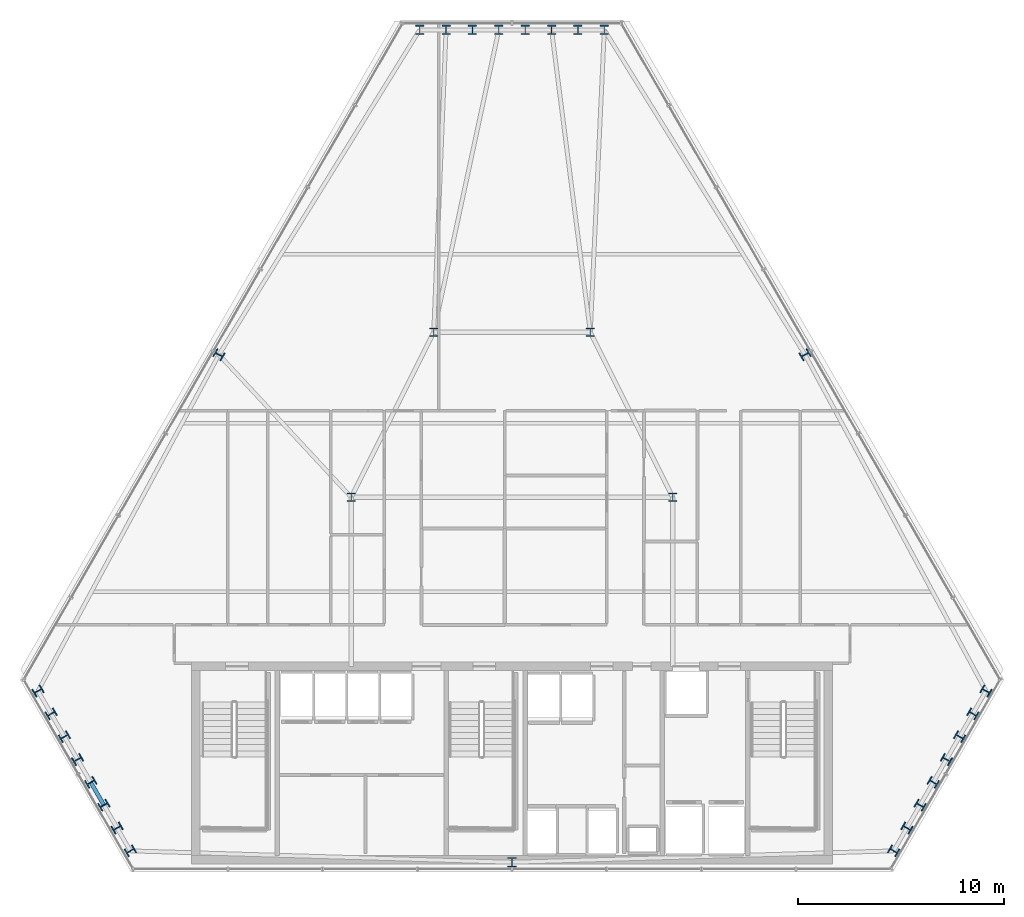
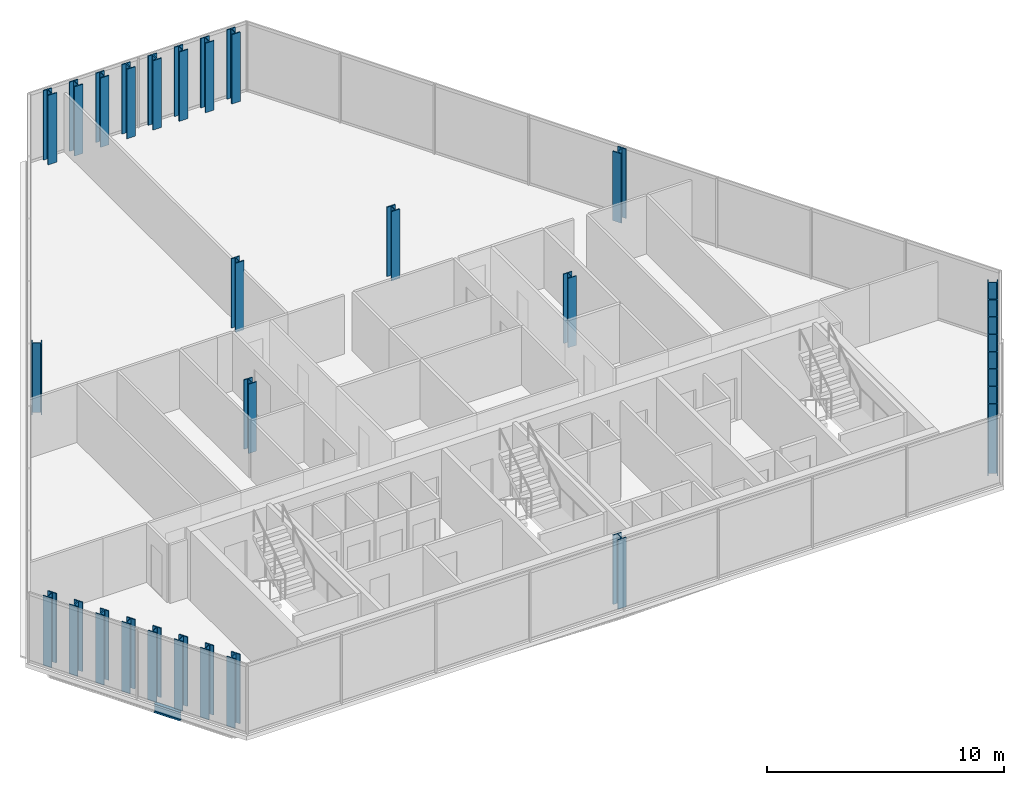
# One storey, part 1 of 33: 31 columns, 1 beam.
"""IFC4 building model written with IfcOpenShell, lengths in metres."""

from ifc_helpers import new_model, si_unit, direction, frame, origin, origin_2d, place, context, subcontext, project, spatial, i_section, extrude, material, material_profile, profile_set, type_object, element, save


model = new_model("IFC4")

# Units and contexts
model_context = context("Model", 3, precision=1e-05, world=origin(), true_north=direction((0.0, 1.0)))
body_context = subcontext(model_context, "Body", "Model", "MODEL_VIEW")
ifc_project = project(units=[si_unit("LENGTHUNIT", "METRE"), si_unit("AREAUNIT", "SQUARE_METRE"), si_unit("VOLUMEUNIT", "CUBIC_METRE"), si_unit("PLANEANGLEUNIT", "RADIAN"), si_unit("MASSUNIT", "GRAM", prefix="KILO")], contexts=[model_context])

# Site, building, storey
site_placement = place(None, origin())
site = spatial("IfcSite", under=ifc_project, at=site_placement, CompositionType="ELEMENT")
building_placement = place(site_placement, origin())
building = spatial("IfcBuilding", under=site, at=building_placement, Name="Ndaravel Arena Tower", CompositionType="ELEMENT")
storey_placement = place(building_placement, frame((0.0, 0.0, 161.199951171875)))
storey = spatial("IfcBuildingStorey", under=building, at=storey_placement, Name="L38", CompositionType="ELEMENT", Elevation=161.199951171875)

# Columns
ifc_material_1 = material(Name="Steel S355", Category="steel")
ifc_material_profile_1 = material_profile(ifc_material_1, i_section(OverallWidth=0.406982421875, OverallDepth=0.4189453125, WebThickness=0.030517578125, FlangeThickness=0.04931640625, FilletRadius=0.01513671875, at=origin_2d()), Name="UC 356x406x393")
ifc_profile_set_1 = profile_set([ifc_material_profile_1], Name="Steel S355")
column_type_1 = type_object("IfcColumnType", Name="COL-INT-UC393", PredefinedType="COLUMN", material=ifc_profile_set_1)
for number, where, z_axis, x_axis, name in (
    (1, (34.199951171875, 23.199951171875, 0.0), (0.0, 0.0, 1.0), (1.0, 0.0, 0.0), "L38 Interior Spine Column IC-01"),
    (2, (49.800048828125, 23.199951171875, 0.0), (0.0, 0.0, 1.0), (1.0, 0.0, 0.0), "L38 Interior Spine Column IC-02"),
    (3, (38.199951171875, 31.199951171875, 0.0), (0.0, 0.0, 1.0), (1.0, 0.0, 0.0), "L38 Interior Spine Column IC-03"),
    (4, (45.800048828125, 31.199951171875, 0.0), (0.0, 0.0, 1.0), (1.0, 0.0, 0.0), "L38 Interior Spine Column IC-04"),
):
    element("IfcColumn", number, at=place(storey_placement, frame(where, z_axis=z_axis, x_axis=x_axis)), inside=storey, type_object=column_type_1, Name=name, PredefinedType="COLUMN", context=body_context, shape_type="SweptSolid", body=[
        extrude(i_section(OverallWidth=0.406982421875, OverallDepth=0.4189453125, WebThickness=0.030517578125, FlangeThickness=0.04931640625, FilletRadius=0.01513671875, at=origin_2d()), origin(), (0.0, 0.0, 1.0), 3.580078125),
    ])
ifc_material_2 = material(Name="Steel S355", Category="steel")
ifc_material_profile_2 = material_profile(ifc_material_2, i_section(OverallWidth=0.41796875, OverallDepth=0.455078125, WebThickness=0.0419921875, FlangeThickness=0.052001953125, FilletRadius=0.014892578125, at=origin_2d()), Name="HD 400x551")
ifc_profile_set_2 = profile_set([ifc_material_profile_2], Name="Steel S355")
column_type_2 = type_object("IfcColumnType", Name="COL-TUBE-HD551", PredefinedType="COLUMN", material=ifc_profile_set_2)
for number, where, z_axis, x_axis, name in (
    (5, (42.0, 5.47998046875, 0.0), (0.0, 0.0, 1.0), (1.0, 0.0, 0.0), "L38 Framed Tube Column TC-01"),
    (6, (60.52587890625, 6.0341796875, 0.0), (0.0, 0.0, 1.0), (0.5, 0.866025403784, 0.0), "L38 Framed Tube Column TC-02"),
    (7, (61.165771484375, 7.142822265625, 0.0), (0.0, 0.0, 1.0), (0.5, 0.866025403784, 0.0), "L38 Framed Tube Column TC-03"),
    (8, (61.805908203125, 8.25146484375, 0.0), (0.0, 0.0, 1.0), (0.5, 0.866025403784, 0.0), "L38 Framed Tube Column TC-04"),
    (9, (62.44580078125, 9.35986328125, 0.0), (0.0, 0.0, 1.0), (0.5, 0.866025403784, 0.0), "L38 Framed Tube Column TC-05"),
    (10, (63.0859375, 10.468505859375, 0.0), (0.0, 0.0, 1.0), (0.5, 0.866025403784, 0.0), "L38 Framed Tube Column TC-06"),
    (11, (63.725830078125, 11.576904296875, 0.0), (0.0, 0.0, 1.0), (0.5, 0.866025403784, 0.0), "L38 Framed Tube Column TC-07"),
    (12, (64.365966796875, 12.685546875, 0.0), (0.0, 0.0, 1.0), (0.5, 0.866025403784, 0.0), "L38 Framed Tube Column TC-08"),
    (13, (65.005859375, 13.794189453125, 0.0), (0.0, 0.0, 1.0), (0.5, 0.866025403784, 0.0), "L38 Framed Tube Column TC-09"),
    (14, (56.22314453125, 30.114990234375, 0.0), (0.0, 0.0, 1.0), (-0.5, 0.866025403784, 0.0), "L38 Framed Tube Column TC-10"),
    (15, (46.480224609375, 45.881591796875, 0.0), (0.0, 0.0, 1.0), (1.0, 0.0, 0.0), "L38 Framed Tube Column TC-11"),
    (16, (45.2001953125, 45.881591796875, 0.0), (0.0, 0.0, 1.0), (1.0, 0.0, 0.0), "L38 Framed Tube Column TC-12"),
    (17, (43.920166015625, 45.881591796875, 0.0), (0.0, 0.0, 1.0), (1.0, 0.0, 0.0), "L38 Framed Tube Column TC-13"),
    (18, (42.639892578125, 45.881591796875, 0.0), (0.0, 0.0, 1.0), (1.0, 0.0, 0.0), "L38 Framed Tube Column TC-14"),
    (19, (41.360107421875, 45.881591796875, 0.0), (0.0, 0.0, 1.0), (1.0, 0.0, 0.0), "L38 Framed Tube Column TC-15"),
    (20, (40.079833984375, 45.881591796875, 0.0), (0.0, 0.0, 1.0), (1.0, 0.0, 0.0), "L38 Framed Tube Column TC-16"),
    (21, (38.7998046875, 45.881591796875, 0.0), (0.0, 0.0, 1.0), (1.0, 0.0, 0.0), "L38 Framed Tube Column TC-17"),
    (22, (37.519775390625, 45.881591796875, 0.0), (0.0, 0.0, 1.0), (1.0, 0.0, 0.0), "L38 Framed Tube Column TC-18"),
    (23, (27.77685546875, 30.114990234375, 0.0), (0.0, 0.0, 1.0), (0.5, 0.866025403784, 0.0), "L38 Framed Tube Column TC-19"),
    (24, (18.994140625, 13.794189453125, 0.0), (0.0, 0.0, 1.0), (-0.5, 0.866025403784, 0.0), "L38 Framed Tube Column TC-20"),
    (25, (19.634033203125, 12.685546875, 0.0), (0.0, 0.0, 1.0), (-0.5, 0.866025403784, 0.0), "L38 Framed Tube Column TC-21"),
    (26, (20.274169921875, 11.576904296875, 0.0), (0.0, 0.0, 1.0), (-0.5, 0.866025403784, 0.0), "L38 Framed Tube Column TC-22"),
    (27, (20.9140625, 10.468505859375, 0.0), (0.0, 0.0, 1.0), (-0.5, 0.866025403784, 0.0), "L38 Framed Tube Column TC-23"),
    (28, (21.55419921875, 9.35986328125, 0.0), (0.0, 0.0, 1.0), (-0.5, 0.866025403784, 0.0), "L38 Framed Tube Column TC-24"),
    (29, (22.194091796875, 8.25146484375, 0.0), (0.0, 0.0, 1.0), (-0.5, 0.866025403784, 0.0), "L38 Framed Tube Column TC-25"),
    (30, (22.834228515625, 7.142822265625, 0.0), (0.0, 0.0, 1.0), (-0.5, 0.866025403784, 0.0), "L38 Framed Tube Column TC-26"),
    (31, (23.47412109375, 6.0341796875, 0.0), (0.0, 0.0, 1.0), (-0.5, 0.866025403784, 0.0), "L38 Framed Tube Column TC-27"),
):
    element("IfcColumn", number, at=place(storey_placement, frame(where, z_axis=z_axis, x_axis=x_axis)), inside=storey, type_object=column_type_2, Name=name, PredefinedType="COLUMN", context=body_context, shape_type="SweptSolid", body=[
        extrude(i_section(OverallWidth=0.41796875, OverallDepth=0.455078125, WebThickness=0.0419921875, FlangeThickness=0.052001953125, FilletRadius=0.014892578125, at=origin_2d()), origin(), (0.0, 0.0, 1.0), 3.580078125),
    ])

# Beam
ifc_material_3 = material(Name="Steel S355", Category="steel")
ifc_material_profile_3 = material_profile(ifc_material_3, i_section(OverallWidth=0.18994140625, OverallDepth=0.449951171875, WebThickness=0.009521484375, FlangeThickness=0.0146484375, FilletRadius=0.02099609375, at=origin_2d()), Name="IPE 450")
ifc_profile_set_3 = profile_set([ifc_material_profile_3], Name="Steel S355")
beam_type = type_object("IfcBeamType", Name="BM-SPAN-IPE450", PredefinedType="SPANDREL", material=ifc_profile_set_3)
beam_placement = place(storey_placement, frame((21.55419921875, 9.35986328125, -0.445068359375), z_axis=(0.499975646431, -0.866039463868, 0.0), x_axis=(0.866039463868, 0.499975646431, 0.0)))
element("IfcBeam", 32, at=beam_placement, inside=storey, type_object=beam_type, Name="L38 Perimeter Spandrel Beam SP-24", PredefinedType="SPANDREL", context=body_context, shape_type="SweptSolid", body=[
    extrude(i_section(OverallWidth=0.18994140625, OverallDepth=0.449951171875, WebThickness=0.009521484375, FlangeThickness=0.0146484375, FilletRadius=0.02099609375, at=origin_2d()), origin(), (0.0, 0.0, 1.0), 1.27978515625),
])

save(model, "model.ifc")
